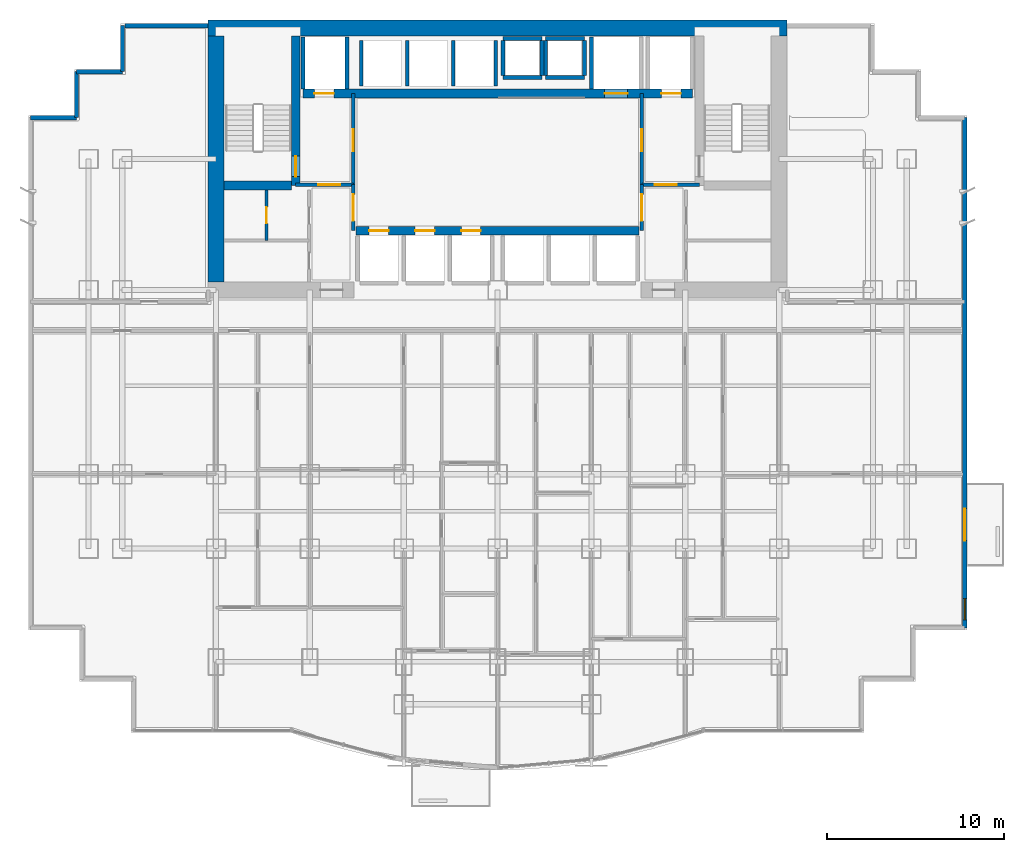
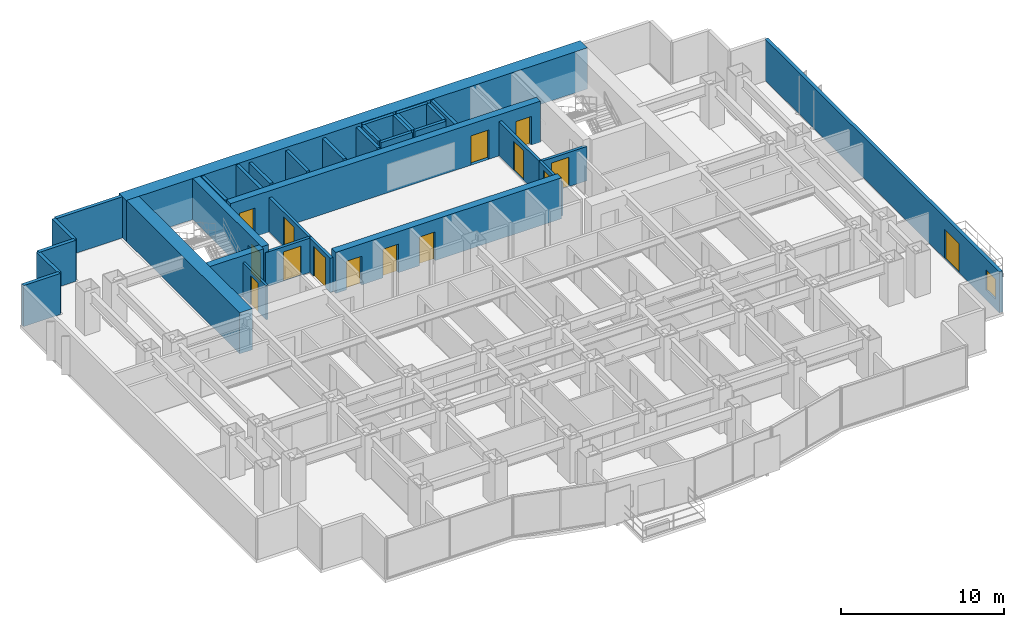
# One storey, part 7 of 10: 34 walls, 15 doors, 1 window, 16 openings.
"""IFC4 building model written with IfcOpenShell, lengths in metres."""

from ifc_helpers import new_model, si_unit, direction, frame, frame_2d, origin, place, context, subcontext, project, spatial, rectangle, extrude, material, layer, layer_set, type_object, element, fill, save


model = new_model("IFC4")

# Units and contexts
model_context = context("Model", 3, precision=1e-05, world=origin(), true_north=direction((0.0, 1.0)))
body_context = subcontext(model_context, "Body", "Model", "MODEL_VIEW")
ifc_project = project(units=[si_unit("LENGTHUNIT", "METRE"), si_unit("AREAUNIT", "SQUARE_METRE"), si_unit("VOLUMEUNIT", "CUBIC_METRE"), si_unit("PLANEANGLEUNIT", "RADIAN"), si_unit("MASSUNIT", "GRAM", prefix="KILO")], contexts=[model_context])

# Site, building, storey
site_placement = place(None, origin())
site = spatial("IfcSite", under=ifc_project, at=site_placement, CompositionType="ELEMENT")
building_placement = place(site_placement, origin())
building = spatial("IfcBuilding", under=site, at=building_placement, Name="Qianlan Lanfeng Residences", CompositionType="ELEMENT")
storey_placement = place(building_placement, frame((0.0, 0.0, 53.89990234375)))
storey = spatial("IfcBuildingStorey", under=building, at=storey_placement, Name="L14", CompositionType="ELEMENT", Elevation=53.89990234375)

# Wall, opening, door
ifc_material_1 = material(Name="Concrete C70", Category="concrete")
ifc_layer_1 = layer(ifc_material_1, 0.5)
ifc_layer_set_1 = layer_set([ifc_layer_1], Name="Concrete C70")
wall_type_1 = type_object("IfcWallType", Name="CW-RC-500", PredefinedType="SHEAR", material=ifc_layer_set_1)
wall_1_placement = place(storey_placement, frame((15.10009765625, 31.10009765625, 0.0), z_axis=(0.0, 0.0, 1.0), x_axis=(0.0, 1.0, 0.0)))
wall_1 = element("IfcWall", 1, at=wall_1_placement, inside=storey, type_object=wall_type_1, Name="L14 Core Shear Wall ST1E", PredefinedType="SHEAR", context=body_context, shape_type="SweptSolid", body=[
    extrude(rectangle(XDim=8.449951171875, YDim=0.5, at=frame_2d((4.22509765625, 0.0))), origin(), (0.0, 0.0, 1.0), 3.080078125),
])
opening_1_placement = place(wall_1_placement, frame((0.510009765625, 0.0, 0.0)))
opening_1 = element("IfcOpeningElement", 2, at=opening_1_placement, cuts=wall_1, Name="Opening L14-D07", PredefinedType="OPENING", context=body_context, shape_type="SweptSolid", body=[
    extrude(rectangle(XDim=1.14990234375, YDim=2.199951171875, at=frame_2d((0.574951171875, 1.10009765625))), frame((0.0, 0.260009765625, 0.0), z_axis=(0.0, -1.0, 0.0), x_axis=(1.0, 0.0, 0.0)), (0.0, 0.0, 1.0), 0.52001953125),
])
ifc_material_2 = material(Name="Painted Galvanised Steel Fire Door", Category="steel")
door_type_1 = type_object("IfcDoorType", Name="DT-ST1", OperationType="NOTDEFINED", PredefinedType="DOOR", material=ifc_material_2)
door_1_placement = place(opening_1_placement, frame((1.14990234375, 0.0, 0.0), z_axis=(0.0, 0.0, 1.0), x_axis=(-1.0, 0.0, 0.0)))
door_1 = element("IfcDoor", 3, at=door_1_placement, inside=storey, type_object=door_type_1, Name="L14 Exit Stair ST-1 Door L14-D07 (DT-ST1)", OperationType="SINGLE_SWING_RIGHT", OverallHeight=2.199951171875, OverallWidth=1.14990234375, PredefinedType="DOOR", context=body_context, shape_type="SweptSolid", body=[
    extrude(rectangle(XDim=1.14990234375, YDim=2.199951171875, at=frame_2d((0.574951171875, 1.10009765625))), frame((0.0, 0.02490234375, 0.0), z_axis=(0.0, -1.0, 0.0), x_axis=(1.0, 0.0, 0.0)), (0.0, 0.0, 1.0), 0.050048828125),
])
fill(opening_1, door_1)

# Wall
wall_2_placement = place(storey_placement, frame((11.050048828125, 31.10009765625, 0.0), z_axis=(0.0, 0.0, 1.0), x_axis=(1.0, 0.0, 0.0)))
element("IfcWall", 4, at=wall_2_placement, inside=storey, type_object=wall_type_1, Name="L14 Core Shear Wall ST1S", PredefinedType="SHEAR", context=body_context, shape_type="SweptSolid", body=[
    extrude(rectangle(XDim=3.800048828125, YDim=0.5, at=frame_2d((1.89990234375, 0.0))), origin(), (0.0, 0.0, 1.0), 3.080078125),
])

# Wall, openings, doors
wall_3_placement = place(storey_placement, frame((15.5, 36.300048828125, 0.0), z_axis=(0.0, 0.0, 1.0), x_axis=(1.0, 0.0, 0.0)))
wall_3 = element("IfcWall", 5, at=wall_3_placement, inside=storey, type_object=wall_type_1, Name="L14 Core Shear Wall LBN", PredefinedType="SHEAR", context=body_context, shape_type="SweptSolid", body=[
    extrude(rectangle(XDim=22.0, YDim=0.5, at=frame_2d((11.0, 0.0))), origin(), (0.0, 0.0, 1.0), 3.080078125),
])
opening_2_placement = place(wall_3_placement, frame((0.64990234375, 0.0, 0.0)))
opening_2 = element("IfcOpeningElement", 6, at=opening_2_placement, cuts=wall_3, Name="Opening L14-LD-FFL-1", PredefinedType="OPENING", context=body_context, shape_type="SweptSolid", body=[
    extrude(rectangle(XDim=1.10009765625, YDim=2.14990234375, at=frame_2d((0.550048828125, 1.074951171875))), frame((0.0, 0.260009765625, 0.0), z_axis=(0.0, -1.0, 0.0), x_axis=(1.0, 0.0, 0.0)), (0.0, 0.0, 1.0), 0.52001953125),
])
opening_3_placement = place(wall_3_placement, frame((20.25, 0.0, 0.0)))
opening_3 = element("IfcOpeningElement", 7, at=opening_3_placement, cuts=wall_3, Name="Opening L14-LD-FFL-2", PredefinedType="OPENING", context=body_context, shape_type="SweptSolid", body=[
    extrude(rectangle(XDim=1.10009765625, YDim=2.14990234375, at=frame_2d((0.550048828125, 1.074951171875))), frame((0.0, 0.260009765625, 0.0), z_axis=(0.0, -1.0, 0.0), x_axis=(1.0, 0.0, 0.0)), (0.0, 0.0, 1.0), 0.52001953125),
])
opening_4_placement = place(wall_3_placement, frame((17.050048828125, 0.0, 0.0)))
opening_4 = element("IfcOpeningElement", 8, at=opening_4_placement, cuts=wall_3, Name="Opening L14-LD-SVL-1", PredefinedType="OPENING", context=body_context, shape_type="SweptSolid", body=[
    extrude(rectangle(XDim=1.300048828125, YDim=2.199951171875, at=frame_2d((0.64990234375, 1.10009765625))), frame((0.0, 0.260009765625, 0.0), z_axis=(0.0, -1.0, 0.0), x_axis=(1.0, 0.0, 0.0)), (0.0, 0.0, 1.0), 0.52001953125),
])
ifc_material_3 = material(Name="Brushed Stainless Steel Sliding Lift Door", Category="steel")
door_type_2 = type_object("IfcDoorType", Name="LD-01", OperationType="NOTDEFINED", PredefinedType="DOOR", material=ifc_material_3)
door_2_placement = place(opening_2_placement, frame((1.10009765625, 0.0, 0.0), z_axis=(0.0, 0.0, 1.0), x_axis=(-1.0, 0.0, 0.0)))
door_2 = element("IfcDoor", 9, at=door_2_placement, inside=storey, type_object=door_type_2, Name="L14 Elevator FFL-1 Sliding Landing Door", OperationType="DOUBLE_DOOR_SLIDING", OverallHeight=2.14990234375, OverallWidth=1.10009765625, PredefinedType="DOOR", context=body_context, shape_type="SweptSolid", body=[
    extrude(rectangle(XDim=1.10009765625, YDim=2.14990234375, at=frame_2d((0.550048828125, 1.074951171875))), frame((0.0, 0.02490234375, 0.0), z_axis=(0.0, -1.0, 0.0), x_axis=(1.0, 0.0, 0.0)), (0.0, 0.0, 1.0), 0.050048828125),
])
fill(opening_2, door_2)
door_3_placement = place(opening_3_placement, frame((1.10009765625, 0.0, 0.0), z_axis=(0.0, 0.0, 1.0), x_axis=(-1.0, 0.0, 0.0)))
door_3 = element("IfcDoor", 10, at=door_3_placement, inside=storey, type_object=door_type_2, Name="L14 Elevator FFL-2 Sliding Landing Door", OperationType="DOUBLE_DOOR_SLIDING", OverallHeight=2.14990234375, OverallWidth=1.10009765625, PredefinedType="DOOR", context=body_context, shape_type="SweptSolid", body=[
    extrude(rectangle(XDim=1.10009765625, YDim=2.14990234375, at=frame_2d((0.550048828125, 1.074951171875))), frame((0.0, 0.02490234375, 0.0), z_axis=(0.0, -1.0, 0.0), x_axis=(1.0, 0.0, 0.0)), (0.0, 0.0, 1.0), 0.050048828125),
])
fill(opening_3, door_3)
door_type_3 = type_object("IfcDoorType", Name="LD-02", OperationType="NOTDEFINED", PredefinedType="DOOR", material=ifc_material_3)
door_4_placement = place(opening_4_placement, frame((1.300048828125, 0.0, 0.0), z_axis=(0.0, 0.0, 1.0), x_axis=(-1.0, 0.0, 0.0)))
door_4 = element("IfcDoor", 11, at=door_4_placement, inside=storey, type_object=door_type_3, Name="L14 Elevator SVL-1 Sliding Landing Door", OperationType="DOUBLE_DOOR_SLIDING", OverallHeight=2.199951171875, OverallWidth=1.300048828125, PredefinedType="DOOR", context=body_context, shape_type="SweptSolid", body=[
    extrude(rectangle(XDim=1.300048828125, YDim=2.199951171875, at=frame_2d((0.64990234375, 1.10009765625))), frame((0.0, 0.02490234375, 0.0), z_axis=(0.0, -1.0, 0.0), x_axis=(1.0, 0.0, 0.0)), (0.0, 0.0, 1.0), 0.050048828125),
])
fill(opening_4, door_4)

wall_4_placement = place(storey_placement, frame((18.5, 28.550048828125, 0.0), z_axis=(0.0, 0.0, 1.0), x_axis=(1.0, 0.0, 0.0)))
wall_4 = element("IfcWall", 12, at=wall_4_placement, inside=storey, type_object=wall_type_1, Name="L14 Core Shear Wall LBS", PredefinedType="SHEAR", context=body_context, shape_type="SweptSolid", body=[
    extrude(rectangle(XDim=16.0, YDim=0.5, at=frame_2d((8.0, 0.0))), origin(), (0.0, 0.0, 1.0), 3.080078125),
])
opening_5_placement = place(wall_4_placement, frame((0.75, 0.0, 0.0)))
opening_5 = element("IfcOpeningElement", 13, at=opening_5_placement, cuts=wall_4, Name="Opening L14-LD-PL-L1", PredefinedType="OPENING", context=body_context, shape_type="SweptSolid", body=[
    extrude(rectangle(XDim=1.10009765625, YDim=2.14990234375, at=frame_2d((0.550048828125, 1.074951171875))), frame((0.0, 0.260009765625, 0.0), z_axis=(0.0, -1.0, 0.0), x_axis=(1.0, 0.0, 0.0)), (0.0, 0.0, 1.0), 0.52001953125),
])
opening_6_placement = place(wall_4_placement, frame((3.35009765625, 0.0, 0.0)))
opening_6 = element("IfcOpeningElement", 14, at=opening_6_placement, cuts=wall_4, Name="Opening L14-LD-PL-L2", PredefinedType="OPENING", context=body_context, shape_type="SweptSolid", body=[
    extrude(rectangle(XDim=1.10009765625, YDim=2.14990234375, at=frame_2d((0.550048828125, 1.074951171875))), frame((0.0, 0.260009765625, 0.0), z_axis=(0.0, -1.0, 0.0), x_axis=(1.0, 0.0, 0.0)), (0.0, 0.0, 1.0), 0.52001953125),
])
opening_7_placement = place(wall_4_placement, frame((5.949951171875, 0.0, 0.0)))
opening_7 = element("IfcOpeningElement", 15, at=opening_7_placement, cuts=wall_4, Name="Opening L14-LD-PL-L3", PredefinedType="OPENING", context=body_context, shape_type="SweptSolid", body=[
    extrude(rectangle(XDim=1.10009765625, YDim=2.14990234375, at=frame_2d((0.550048828125, 1.074951171875))), frame((0.0, 0.260009765625, 0.0), z_axis=(0.0, -1.0, 0.0), x_axis=(1.0, 0.0, 0.0)), (0.0, 0.0, 1.0), 0.52001953125),
])
door_5_placement = place(opening_5_placement, origin())
door_5 = element("IfcDoor", 16, at=door_5_placement, inside=storey, type_object=door_type_2, Name="L14 Elevator PL-L1 Sliding Landing Door", OperationType="DOUBLE_DOOR_SLIDING", OverallHeight=2.14990234375, OverallWidth=1.10009765625, PredefinedType="DOOR", context=body_context, shape_type="SweptSolid", body=[
    extrude(rectangle(XDim=1.10009765625, YDim=2.14990234375, at=frame_2d((0.550048828125, 1.074951171875))), frame((0.0, 0.02490234375, 0.0), z_axis=(0.0, -1.0, 0.0), x_axis=(1.0, 0.0, 0.0)), (0.0, 0.0, 1.0), 0.050048828125),
])
fill(opening_5, door_5)
door_6_placement = place(opening_6_placement, origin())
door_6 = element("IfcDoor", 17, at=door_6_placement, inside=storey, type_object=door_type_2, Name="L14 Elevator PL-L2 Sliding Landing Door", OperationType="DOUBLE_DOOR_SLIDING", OverallHeight=2.14990234375, OverallWidth=1.10009765625, PredefinedType="DOOR", context=body_context, shape_type="SweptSolid", body=[
    extrude(rectangle(XDim=1.10009765625, YDim=2.14990234375, at=frame_2d((0.550048828125, 1.074951171875))), frame((0.0, 0.02490234375, 0.0), z_axis=(0.0, -1.0, 0.0), x_axis=(1.0, 0.0, 0.0)), (0.0, 0.0, 1.0), 0.050048828125),
])
fill(opening_6, door_6)
door_7_placement = place(opening_7_placement, origin())
door_7 = element("IfcDoor", 18, at=door_7_placement, inside=storey, type_object=door_type_2, Name="L14 Elevator PL-L3 Sliding Landing Door", OperationType="DOUBLE_DOOR_SLIDING", OverallHeight=2.14990234375, OverallWidth=1.10009765625, PredefinedType="DOOR", context=body_context, shape_type="SweptSolid", body=[
    extrude(rectangle(XDim=1.10009765625, YDim=2.14990234375, at=frame_2d((0.550048828125, 1.074951171875))), frame((0.0, 0.02490234375, 0.0), z_axis=(0.0, -1.0, 0.0), x_axis=(1.0, 0.0, 0.0)), (0.0, 0.0, 1.0), 0.050048828125),
])
fill(opening_7, door_7)

# Walls
ifc_layer_2 = layer(ifc_material_1, 0.89990234375)
ifc_layer_set_2 = layer_set([ifc_layer_2], Name="Concrete C70")
wall_type_2 = type_object("IfcWallType", Name="CW-RC-900", PredefinedType="SHEAR", material=ifc_layer_set_2)
wall_5_placement = place(storey_placement, frame((10.14990234375, 40.0, 0.0), z_axis=(0.0, 0.0, 1.0), x_axis=(1.0, 0.0, 0.0)))
element("IfcWall", 19, at=wall_5_placement, inside=storey, type_object=wall_type_2, Name="L14 Core Shear Wall N", PredefinedType="SHEAR", context=body_context, shape_type="SweptSolid", body=[
    extrude(rectangle(XDim=32.7001953125, YDim=0.89990234375, at=frame_2d((16.35009765625, 0.0))), origin(), (0.0, 0.0, 1.0), 3.080078125),
])
wall_6_placement = place(storey_placement, frame((10.60009765625, 25.64990234375, 0.0), z_axis=(0.0, 0.0, 1.0), x_axis=(0.0, 1.0, 0.0)))
element("IfcWall", 20, at=wall_6_placement, inside=storey, type_object=wall_type_2, Name="L14 Core Shear Wall W", PredefinedType="SHEAR", context=body_context, shape_type="SweptSolid", body=[
    extrude(rectangle(XDim=13.900146484375, YDim=0.89990234375, at=frame_2d((6.9501953125, 0.0))), origin(), (0.0, 0.0, 1.0), 3.080078125),
])

# Wall, openings, door, window
ifc_material_4 = material(Name="Concrete C42", Category="concrete")
ifc_layer_3 = layer(ifc_material_4, 0.239990234375)
ifc_layer_set_3 = layer_set([ifc_layer_3], Name="Concrete C42")
wall_type_3 = type_object("IfcWallType", Name="EW-240", PredefinedType="SOLIDWALL", material=ifc_layer_set_3)
wall_7_placement = place(storey_placement, frame((52.8798828125, 6.1201171875, 0.0), z_axis=(0.0, 0.0, 1.0), x_axis=(0.0, 1.0, 0.0)))
wall_7 = element("IfcWall", 21, at=wall_7_placement, inside=storey, type_object=wall_type_3, Name="L14 Terrace/Balcony Access Exterior Wall 10", PredefinedType="SOLIDWALL", context=body_context, shape_type="SweptSolid", body=[
    extrude(rectangle(XDim=28.809814453125, YDim=0.239990234375, at=frame_2d((14.40478515625, 0.0))), origin(), (0.0, 0.0, 1.0), 3.080078125),
])
opening_8_placement = place(wall_7_placement, frame((4.929931640625, 0.0, 0.0)))
opening_8 = element("IfcOpeningElement", 22, at=opening_8_placement, cuts=wall_7, Name="Opening L14-D-EB-S", PredefinedType="OPENING", context=body_context, shape_type="SweptSolid", body=[
    extrude(rectangle(XDim=1.800048828125, YDim=2.199951171875, at=frame_2d((0.89990234375, 1.10009765625))), frame((0.0, 0.1298828125, 0.0), z_axis=(0.0, -1.0, 0.0), x_axis=(1.0, 0.0, 0.0)), (0.0, 0.0, 1.0), 0.260009765625),
])
opening_9_placement = place(wall_7_placement, frame((0.449951171875, 0.0, 0.75)))
opening_9 = element("IfcOpeningElement", 23, at=opening_9_placement, cuts=wall_7, Name="Opening W-03", PredefinedType="OPENING", context=body_context, shape_type="SweptSolid", body=[
    extrude(rectangle(XDim=1.199951171875, YDim=1.5, at=frame_2d((0.60009765625, 0.75))), frame((0.0, 0.1298828125, 0.0), z_axis=(0.0, -1.0, 0.0), x_axis=(1.0, 0.0, 0.0)), (0.0, 0.0, 1.0), 0.260009765625),
])
ifc_material_5 = material(Name="Anodised Bronze Aluminium Framed Glass", Category="aluminium")
door_type_4 = type_object("IfcDoorType", Name="DT-BAL1", OperationType="NOTDEFINED", PredefinedType="DOOR", material=ifc_material_5)
door_8_placement = place(opening_8_placement, frame((1.800048828125, 0.0, 0.0), z_axis=(0.0, 0.0, 1.0), x_axis=(-1.0, 0.0, 0.0)))
door_8 = element("IfcDoor", 24, at=door_8_placement, inside=storey, type_object=door_type_4, Name="L14 Exterior Access Door EB-S", OperationType="DOUBLE_DOOR_SLIDING", OverallHeight=2.199951171875, OverallWidth=1.800048828125, PredefinedType="DOOR", context=body_context, shape_type="SweptSolid", body=[
    extrude(rectangle(XDim=1.800048828125, YDim=2.199951171875, at=frame_2d((0.89990234375, 1.10009765625))), frame((0.0, 0.02490234375, 0.0), z_axis=(0.0, -1.0, 0.0), x_axis=(1.0, 0.0, 0.0)), (0.0, 0.0, 1.0), 0.050048828125),
])
fill(opening_8, door_8)
ifc_material_6 = material(Name="Anodised Bronze Aluminium Framed Double Glazing", Category="aluminium")
window_type = type_object("IfcWindowType", Name="W-03", PartitioningType="SINGLE_PANEL", PredefinedType="WINDOW", material=ifc_material_6)
window_placement = place(opening_9_placement, origin())
window = element("IfcWindow", 25, at=window_placement, inside=storey, type_object=window_type, Name="L14 Exterior Window W-03", OverallHeight=1.5, OverallWidth=1.199951171875, PartitioningType="SINGLE_PANEL", PredefinedType="WINDOW", context=body_context, shape_type="SweptSolid", body=[
    extrude(rectangle(XDim=1.199951171875, YDim=1.5, at=frame_2d((0.60009765625, 0.75))), frame((0.0, 0.030029296875, 0.0), z_axis=(0.0, -1.0, 0.0), x_axis=(1.0, 0.0, 0.0)), (0.0, 0.0, 1.0), 0.06005859375),
])
fill(opening_9, window)

# Walls
wall_8_placement = place(storey_placement, frame((10.14990234375, 40.1298828125, 0.0), z_axis=(0.0, 0.0, 1.0), x_axis=(-1.0, 0.0, 0.0)))
element("IfcWall", 26, at=wall_8_placement, inside=storey, type_object=wall_type_3, Name="L14 North Wing Exterior Wall W", PredefinedType="SOLIDWALL", context=body_context, shape_type="SweptSolid", body=[
    extrude(rectangle(XDim=4.699951171875, YDim=0.239990234375, at=frame_2d((2.35009765625, 0.0))), origin(), (0.0, 0.0, 1.0), 3.080078125),
])
wall_9_placement = place(storey_placement, frame((5.320068359375, 40.1298828125, 0.0), z_axis=(0.0, 0.0, 1.0), x_axis=(0.0, -1.0, 0.0)))
element("IfcWall", 27, at=wall_9_placement, inside=storey, type_object=wall_type_3, Name="L14 Exterior Facade Spandrel Wall 17", PredefinedType="SOLIDWALL", context=body_context, shape_type="SweptSolid", body=[
    extrude(rectangle(XDim=2.599853515625, YDim=0.239990234375, at=frame_2d((1.2998046875, 0.0))), origin(), (0.0, 0.0, 1.0), 3.080078125),
])
for number, where, z_axis, x_axis, name in (
    (28, (5.320068359375, 37.530029296875, 0.0), (0.0, 0.0, 1.0), (-1.0, 0.0, 0.0), "L14 Exterior Facade Spandrel Wall 18"),
    (29, (2.719970703125, 37.530029296875, 0.0), (0.0, 0.0, 1.0), (0.0, -1.0, 0.0), "L14 Exterior Facade Spandrel Wall 19"),
):
    element("IfcWall", number, at=place(storey_placement, frame(where, z_axis=z_axis, x_axis=x_axis)), inside=storey, type_object=wall_type_3, Name=name, PredefinedType="SOLIDWALL", context=body_context, shape_type="SweptSolid", body=[
        extrude(rectangle(XDim=2.60009765625, YDim=0.239990234375, at=frame_2d((1.300048828125, 0.0))), origin(), (0.0, 0.0, 1.0), 3.080078125),
    ])
wall_10_placement = place(storey_placement, frame((2.719970703125, 34.929931640625, 0.0), z_axis=(0.0, 0.0, 1.0), x_axis=(-1.0, 0.0, 0.0)))
element("IfcWall", 30, at=wall_10_placement, inside=storey, type_object=wall_type_3, Name="L14 Exterior Facade Spandrel Wall 20", PredefinedType="SOLIDWALL", context=body_context, shape_type="SweptSolid", body=[
    extrude(rectangle(XDim=2.599853515625, YDim=0.239990234375, at=frame_2d((1.2998046875, 0.0))), origin(), (0.0, 0.0, 1.0), 3.080078125),
])

# Wall, opening, door
ifc_material_7 = material(Name="Acoustic Drywall Partition 150 mm")
ifc_layer_4 = layer(ifc_material_7, 0.14990234375)
ifc_layer_set_4 = layer_set([ifc_layer_4], Name="Acoustic Drywall Partition 150 mm")
wall_type_4 = type_object("IfcWallType", Name="PW-150", PredefinedType="PARTITIONING", material=ifc_layer_set_4)
wall_11_placement = place(storey_placement, frame((13.449951171875, 28.0, 0.0), z_axis=(0.0, 0.0, 1.0), x_axis=(0.0, 1.0, 0.0)))
wall_11 = element("IfcWall", 31, at=wall_11_placement, inside=storey, type_object=wall_type_4, Name="L14 Core West V4", PredefinedType="PARTITIONING", context=body_context, shape_type="SweptSolid", body=[
    extrude(rectangle(XDim=2.85009765625, YDim=0.14990234375, at=frame_2d((1.425048828125, 0.0))), origin(), (0.0, 0.0, 1.0), 2.570068359375),
])
opening_10_placement = place(wall_11_placement, frame((0.965087890625, 0.0, 0.0)))
opening_10 = element("IfcOpeningElement", 32, at=opening_10_placement, cuts=wall_11, Name="Opening L14-D11", PredefinedType="OPENING", context=body_context, shape_type="SweptSolid", body=[
    extrude(rectangle(XDim=0.919921875, YDim=2.14990234375, at=frame_2d((0.4599609375, 1.074951171875))), frame((0.0, 0.0849609375, 0.0), z_axis=(0.0, -1.0, 0.0), x_axis=(1.0, 0.0, 0.0)), (0.0, 0.0, 1.0), 0.169921875),
])
ifc_material_8 = material(Name="Glazed Timber Kitchen/Study Door", Category="wood")
door_type_5 = type_object("IfcDoorType", Name="DT-INT", OperationType="NOTDEFINED", PredefinedType="DOOR", material=ifc_material_8)
door_9_placement = place(opening_10_placement, origin())
door_9 = element("IfcDoor", 33, at=door_9_placement, inside=storey, type_object=door_type_5, Name="L14 Linen Store Door L14-D11 (DT-INT)", OperationType="SINGLE_SWING_RIGHT", OverallHeight=2.14990234375, OverallWidth=0.919921875, PredefinedType="DOOR", context=body_context, shape_type="SweptSolid", body=[
    extrude(rectangle(XDim=0.919921875, YDim=2.14990234375, at=frame_2d((0.4599609375, 1.074951171875))), frame((0.0, 0.02490234375, 0.0), z_axis=(0.0, -1.0, 0.0), x_axis=(1.0, 0.0, 0.0)), (0.0, 0.0, 1.0), 0.050048828125),
])
fill(opening_10, door_9)

ifc_material_9 = material(Name="Autoclaved Aerated Concrete Blockwork 200 mm", Category="masonry")
ifc_layer_5 = layer(ifc_material_9, 0.199951171875)
ifc_layer_set_5 = layer_set([ifc_layer_5], Name="Autoclaved Aerated Concrete Blockwork 200 mm")
wall_type_5 = type_object("IfcWallType", Name="PW-200", PredefinedType="PARTITIONING", material=ifc_layer_set_5)
wall_12_placement = place(storey_placement, frame((15.10009765625, 31.14990234375, 0.0), z_axis=(0.0, 0.0, 1.0), x_axis=(1.0, 0.0, 0.0)))
wall_12 = element("IfcWall", 34, at=wall_12_placement, inside=storey, type_object=wall_type_5, Name="L14 Firefighting Lobby 1 South Wall", PredefinedType="PARTITIONING", context=body_context, shape_type="SweptSolid", body=[
    extrude(rectangle(XDim=3.25, YDim=0.199951171875, at=frame_2d((1.625, 0.0))), origin(), (0.0, 0.0, 1.0), 2.570068359375),
])
opening_11_placement = place(wall_12_placement, frame((1.27490234375, 0.0, 0.0)))
opening_11 = element("IfcOpeningElement", 35, at=opening_11_placement, cuts=wall_12, Name="Opening L14-D03", PredefinedType="OPENING", context=body_context, shape_type="SweptSolid", body=[
    extrude(rectangle(XDim=1.25, YDim=2.199951171875, at=frame_2d((0.625, 1.10009765625))), frame((0.0, 0.10986328125, 0.0), z_axis=(0.0, -1.0, 0.0), x_axis=(1.0, 0.0, 0.0)), (0.0, 0.0, 1.0), 0.219970703125),
])
door_type_6 = type_object("IfcDoorType", Name="DT-FFL", OperationType="NOTDEFINED", PredefinedType="DOOR", material=ifc_material_2)
door_10_placement = place(opening_11_placement, origin())
door_10 = element("IfcDoor", 36, at=door_10_placement, inside=storey, type_object=door_type_6, Name="L14 Firefighting Lobby 1 Entry Door L14-D03 (DT-FFL)", OperationType="SINGLE_SWING_LEFT", OverallHeight=2.199951171875, OverallWidth=1.25, PredefinedType="DOOR", context=body_context, shape_type="SweptSolid", body=[
    extrude(rectangle(XDim=1.25, YDim=2.199951171875, at=frame_2d((0.625, 1.10009765625))), frame((0.0, 0.02490234375, 0.0), z_axis=(0.0, -1.0, 0.0), x_axis=(1.0, 0.0, 0.0)), (0.0, 0.0, 1.0), 0.050048828125),
])
fill(opening_11, door_10)

wall_13_placement = place(storey_placement, frame((18.35009765625, 31.14990234375, 0.0), z_axis=(0.0, 0.0, 1.0), x_axis=(0.0, 1.0, 0.0)))
wall_13 = element("IfcWall", 37, at=wall_13_placement, inside=storey, type_object=wall_type_5, Name="L14 Firefighting Lobby 1 East Wall", PredefinedType="PARTITIONING", context=body_context, shape_type="SweptSolid", body=[
    extrude(rectangle(XDim=5.150146484375, YDim=0.199951171875, at=frame_2d((2.5751953125, 0.0))), origin(), (0.0, 0.0, 1.0), 2.570068359375),
])
opening_12_placement = place(wall_13_placement, frame((1.875, 0.0, 0.0)))
opening_12 = element("IfcOpeningElement", 38, at=opening_12_placement, cuts=wall_13, Name="Opening L14-D04", PredefinedType="OPENING", context=body_context, shape_type="SweptSolid", body=[
    extrude(rectangle(XDim=1.25, YDim=2.199951171875, at=frame_2d((0.625, 1.10009765625))), frame((0.0, 0.10986328125, 0.0), z_axis=(0.0, -1.0, 0.0), x_axis=(1.0, 0.0, 0.0)), (0.0, 0.0, 1.0), 0.219970703125),
])
door_11_placement = place(opening_12_placement, origin())
door_11 = element("IfcDoor", 39, at=door_11_placement, inside=storey, type_object=door_type_6, Name="L14 Firefighting Lobby 1 Lift Lobby Door L14-D04 (DT-FFL)", OperationType="SINGLE_SWING_LEFT", OverallHeight=2.199951171875, OverallWidth=1.25, PredefinedType="DOOR", context=body_context, shape_type="SweptSolid", body=[
    extrude(rectangle(XDim=1.25, YDim=2.199951171875, at=frame_2d((0.625, 1.10009765625))), frame((0.0, 0.02490234375, 0.0), z_axis=(0.0, -1.0, 0.0), x_axis=(1.0, 0.0, 0.0)), (0.0, 0.0, 1.0), 0.050048828125),
])
fill(opening_12, door_11)

wall_14_placement = place(storey_placement, frame((34.64990234375, 31.14990234375, 0.0), z_axis=(0.0, 0.0, 1.0), x_axis=(1.0, 0.0, 0.0)))
wall_14 = element("IfcWall", 40, at=wall_14_placement, inside=storey, type_object=wall_type_5, Name="L14 Firefighting Lobby 2 South Wall", PredefinedType="PARTITIONING", context=body_context, shape_type="SweptSolid", body=[
    extrude(rectangle(XDim=3.25, YDim=0.199951171875, at=frame_2d((1.625, 0.0))), origin(), (0.0, 0.0, 1.0), 2.570068359375),
])
opening_13_placement = place(wall_14_placement, frame((0.72509765625, 0.0, 0.0)))
opening_13 = element("IfcOpeningElement", 41, at=opening_13_placement, cuts=wall_14, Name="Opening L14-D05", PredefinedType="OPENING", context=body_context, shape_type="SweptSolid", body=[
    extrude(rectangle(XDim=1.25, YDim=2.199951171875, at=frame_2d((0.625, 1.10009765625))), frame((0.0, 0.10986328125, 0.0), z_axis=(0.0, -1.0, 0.0), x_axis=(1.0, 0.0, 0.0)), (0.0, 0.0, 1.0), 0.219970703125),
])
door_12_placement = place(opening_13_placement, origin())
door_12 = element("IfcDoor", 42, at=door_12_placement, inside=storey, type_object=door_type_6, Name="L14 Firefighting Lobby 2 Entry Door L14-D05 (DT-FFL)", OperationType="SINGLE_SWING_RIGHT", OverallHeight=2.199951171875, OverallWidth=1.25, PredefinedType="DOOR", context=body_context, shape_type="SweptSolid", body=[
    extrude(rectangle(XDim=1.25, YDim=2.199951171875, at=frame_2d((0.625, 1.10009765625))), frame((0.0, 0.02490234375, 0.0), z_axis=(0.0, -1.0, 0.0), x_axis=(1.0, 0.0, 0.0)), (0.0, 0.0, 1.0), 0.050048828125),
])
fill(opening_13, door_12)

wall_15_placement = place(storey_placement, frame((34.64990234375, 31.14990234375, 0.0), z_axis=(0.0, 0.0, 1.0), x_axis=(0.0, 1.0, 0.0)))
wall_15 = element("IfcWall", 43, at=wall_15_placement, inside=storey, type_object=wall_type_5, Name="L14 Firefighting Lobby 2 West Wall", PredefinedType="PARTITIONING", context=body_context, shape_type="SweptSolid", body=[
    extrude(rectangle(XDim=5.150146484375, YDim=0.199951171875, at=frame_2d((2.5751953125, 0.0))), origin(), (0.0, 0.0, 1.0), 2.570068359375),
])
opening_14_placement = place(wall_15_placement, frame((1.875, 0.0, 0.0)))
opening_14 = element("IfcOpeningElement", 44, at=opening_14_placement, cuts=wall_15, Name="Opening L14-D06", PredefinedType="OPENING", context=body_context, shape_type="SweptSolid", body=[
    extrude(rectangle(XDim=1.25, YDim=2.199951171875, at=frame_2d((0.625, 1.10009765625))), frame((0.0, 0.10986328125, 0.0), z_axis=(0.0, -1.0, 0.0), x_axis=(1.0, 0.0, 0.0)), (0.0, 0.0, 1.0), 0.219970703125),
])
door_13_placement = place(opening_14_placement, origin())
door_13 = element("IfcDoor", 45, at=door_13_placement, inside=storey, type_object=door_type_6, Name="L14 Firefighting Lobby 2 Lift Lobby Door L14-D06 (DT-FFL)", OperationType="SINGLE_SWING_LEFT", OverallHeight=2.199951171875, OverallWidth=1.25, PredefinedType="DOOR", context=body_context, shape_type="SweptSolid", body=[
    extrude(rectangle(XDim=1.25, YDim=2.199951171875, at=frame_2d((0.625, 1.10009765625))), frame((0.0, 0.02490234375, 0.0), z_axis=(0.0, -1.0, 0.0), x_axis=(1.0, 0.0, 0.0)), (0.0, 0.0, 1.0), 0.050048828125),
])
fill(opening_14, door_13)

wall_16_placement = place(storey_placement, frame((18.35009765625, 28.550048828125, 0.0), z_axis=(0.0, 0.0, 1.0), x_axis=(0.0, 1.0, 0.0)))
wall_16 = element("IfcWall", 46, at=wall_16_placement, inside=storey, type_object=wall_type_5, Name="L14 Lift Lobby West Connector Wall", PredefinedType="PARTITIONING", context=body_context, shape_type="SweptSolid", body=[
    extrude(rectangle(XDim=2.599853515625, YDim=0.199951171875, at=frame_2d((1.2998046875, 0.0))), origin(), (0.0, 0.0, 1.0), 2.570068359375),
])
opening_15_placement = place(wall_16_placement, frame((0.550048828125, 0.0, 0.0)))
opening_15 = element("IfcOpeningElement", 47, at=opening_15_placement, cuts=wall_16, Name="Opening L14-D14", PredefinedType="OPENING", context=body_context, shape_type="SweptSolid", body=[
    extrude(rectangle(XDim=1.5, YDim=2.25, at=frame_2d((0.75, 1.125))), frame((0.0, 0.10986328125, 0.0), z_axis=(0.0, -1.0, 0.0), x_axis=(1.0, 0.0, 0.0)), (0.0, 0.0, 1.0), 0.219970703125),
])
ifc_material_10 = material(Name="Timber Veneer Acoustic Fire Door", Category="wood")
door_type_7 = type_object("IfcDoorType", Name="DT-COR1", OperationType="NOTDEFINED", PredefinedType="DOOR", material=ifc_material_10)
door_14_placement = place(opening_15_placement, origin())
door_14 = element("IfcDoor", 48, at=door_14_placement, inside=storey, type_object=door_type_7, Name="L14 Lift Lobby West Portal Door L14-D14 (DT-COR1)", OperationType="DOUBLE_DOOR_SINGLE_SWING", OverallHeight=2.25, OverallWidth=1.5, PredefinedType="DOOR", context=body_context, shape_type="SweptSolid", body=[
    extrude(rectangle(XDim=1.5, YDim=2.25, at=frame_2d((0.75, 1.125))), frame((0.0, 0.02490234375, 0.0), z_axis=(0.0, -1.0, 0.0), x_axis=(1.0, 0.0, 0.0)), (0.0, 0.0, 1.0), 0.050048828125),
])
fill(opening_15, door_14)

wall_17_placement = place(storey_placement, frame((34.64990234375, 28.550048828125, 0.0), z_axis=(0.0, 0.0, 1.0), x_axis=(0.0, 1.0, 0.0)))
wall_17 = element("IfcWall", 49, at=wall_17_placement, inside=storey, type_object=wall_type_5, Name="L14 Lift Lobby East Connector Wall", PredefinedType="PARTITIONING", context=body_context, shape_type="SweptSolid", body=[
    extrude(rectangle(XDim=2.599853515625, YDim=0.199951171875, at=frame_2d((1.2998046875, 0.0))), origin(), (0.0, 0.0, 1.0), 2.570068359375),
])
opening_16_placement = place(wall_17_placement, frame((0.550048828125, 0.0, 0.0)))
opening_16 = element("IfcOpeningElement", 50, at=opening_16_placement, cuts=wall_17, Name="Opening L14-D15", PredefinedType="OPENING", context=body_context, shape_type="SweptSolid", body=[
    extrude(rectangle(XDim=1.5, YDim=2.25, at=frame_2d((0.75, 1.125))), frame((0.0, 0.10986328125, 0.0), z_axis=(0.0, -1.0, 0.0), x_axis=(1.0, 0.0, 0.0)), (0.0, 0.0, 1.0), 0.219970703125),
])
door_15_placement = place(opening_16_placement, frame((1.5, 0.0, 0.0), z_axis=(0.0, 0.0, 1.0), x_axis=(-1.0, 0.0, 0.0)))
door_15 = element("IfcDoor", 51, at=door_15_placement, inside=storey, type_object=door_type_7, Name="L14 Lift Lobby East Portal Door L14-D15 (DT-COR1)", OperationType="DOUBLE_DOOR_SINGLE_SWING", OverallHeight=2.25, OverallWidth=1.5, PredefinedType="DOOR", context=body_context, shape_type="SweptSolid", body=[
    extrude(rectangle(XDim=1.5, YDim=2.25, at=frame_2d((0.75, 1.125))), frame((0.0, 0.02490234375, 0.0), z_axis=(0.0, -1.0, 0.0), x_axis=(1.0, 0.0, 0.0)), (0.0, 0.0, 1.0), 0.050048828125),
])
fill(opening_16, door_15)

# Walls
ifc_material_11 = material(Name="Concrete C49", Category="concrete")
ifc_layer_6 = layer(ifc_material_11, 0.219970703125)
ifc_layer_set_6 = layer_set([ifc_layer_6], Name="Concrete C49")
wall_type_6 = type_object("IfcWallType", Name="SHW-220", PredefinedType="SOLIDWALL", material=ifc_layer_set_6)
for number, where, z_axis, x_axis, name in (
    (52, (15.52001953125, 36.550048828125, 0.0), (0.0, 0.0, 1.0), (0.0, 1.0, 0.0), "L14 Lift FFL-1 Shaft Wall W"),
    (53, (18.0, 36.550048828125, 0.0), (0.0, 0.0, 1.0), (0.0, 1.0, 0.0), "L14 Lift FFL-1 Shaft Wall E"),
    (54, (31.800048828125, 36.550048828125, 0.0), (0.0, 0.0, 1.0), (0.0, 1.0, 0.0), "L14 Lift SVL-1 Shaft Wall W"),
):
    element("IfcWall", number, at=place(storey_placement, frame(where, z_axis=z_axis, x_axis=x_axis)), inside=storey, type_object=wall_type_6, Name=name, PredefinedType="SOLIDWALL", context=body_context, shape_type="SweptSolid", body=[
        extrude(rectangle(XDim=2.929931640625, YDim=0.219970703125, at=frame_2d((1.46484375, 0.0))), origin(), (0.0, 0.0, 1.0), 3.080078125),
    ])
for number, where, z_axis, x_axis, name in (
    (55, (18.800048828125, 36.719970703125, 0.0), (0.0, 0.0, 1.0), (0.0, 1.0, 0.0), "L14 Lift PL-H1 Shaft Wall W"),
    (56, (21.39990234375, 36.719970703125, 0.0), (0.0, 0.0, 1.0), (0.0, 1.0, 0.0), "L14 Lift PL-H2 Shaft Wall W"),
    (57, (24.0, 36.719970703125, 0.0), (0.0, 0.0, 1.0), (0.0, 1.0, 0.0), "L14 Lift PL-H3 Shaft Wall W"),
    (58, (26.39990234375, 36.719970703125, 0.0), (0.0, 0.0, 1.0), (0.0, 1.0, 0.0), "L14 Lift PL-H3 Shaft Wall E"),
):
    element("IfcWall", number, at=place(storey_placement, frame(where, z_axis=z_axis, x_axis=x_axis)), inside=storey, type_object=wall_type_6, Name=name, PredefinedType="SOLIDWALL", context=body_context, shape_type="SweptSolid", body=[
        extrude(rectangle(XDim=2.56005859375, YDim=0.219970703125, at=frame_2d((1.280029296875, 0.0))), origin(), (0.0, 0.0, 1.0), 3.080078125),
    ])
for number, where, z_axis, x_axis, name in (
    (59, (26.800048828125, 37.31005859375, 0.0), (0.0, 0.0, 1.0), (0.0, 1.0, 0.0), "L14 MEP Riser MEP-R1 Shaft Wall W"),
    (60, (29.0, 37.31005859375, 0.0), (0.0, 0.0, 1.0), (0.0, 1.0, 0.0), "L14 MEP Riser MEP-R1 Shaft Wall E"),
):
    element("IfcWall", number, at=place(storey_placement, frame(where, z_axis=z_axis, x_axis=x_axis)), inside=storey, type_object=wall_type_6, Name=name, PredefinedType="SOLIDWALL", context=body_context, shape_type="SweptSolid", body=[
        extrude(rectangle(XDim=1.97998046875, YDim=0.219970703125, at=frame_2d((0.989990234375, 0.0))), origin(), (0.0, 0.0, 1.0), 3.080078125),
    ])
for number, where, z_axis, x_axis, name in (
    (61, (26.800048828125, 39.39990234375, 0.0), (0.0, 0.0, 1.0), (1.0, 0.0, 0.0), "L14 MEP Riser MEP-R1 Shaft Wall N"),
    (62, (26.800048828125, 37.199951171875, 0.0), (0.0, 0.0, 1.0), (1.0, 0.0, 0.0), "L14 MEP Riser MEP-R1 Shaft Wall S"),
):
    element("IfcWall", number, at=place(storey_placement, frame(where, z_axis=z_axis, x_axis=x_axis)), inside=storey, type_object=wall_type_6, Name=name, PredefinedType="SOLIDWALL", context=body_context, shape_type="SweptSolid", body=[
        extrude(rectangle(XDim=2.199951171875, YDim=0.219970703125, at=frame_2d((1.10009765625, 0.0))), origin(), (0.0, 0.0, 1.0), 3.080078125),
    ])
for number, where, z_axis, x_axis, name in (
    (63, (29.199951171875, 37.31005859375, 0.0), (0.0, 0.0, 1.0), (0.0, 1.0, 0.0), "L14 MEP Riser MEP-R2 Shaft Wall W"),
    (64, (31.39990234375, 37.31005859375, 0.0), (0.0, 0.0, 1.0), (0.0, 1.0, 0.0), "L14 MEP Riser MEP-R2 Shaft Wall E"),
):
    element("IfcWall", number, at=place(storey_placement, frame(where, z_axis=z_axis, x_axis=x_axis)), inside=storey, type_object=wall_type_6, Name=name, PredefinedType="SOLIDWALL", context=body_context, shape_type="SweptSolid", body=[
        extrude(rectangle(XDim=1.97998046875, YDim=0.219970703125, at=frame_2d((0.989990234375, 0.0))), origin(), (0.0, 0.0, 1.0), 3.080078125),
    ])
for number, where, z_axis, x_axis, name in (
    (65, (29.199951171875, 39.39990234375, 0.0), (0.0, 0.0, 1.0), (1.0, 0.0, 0.0), "L14 MEP Riser MEP-R2 Shaft Wall N"),
    (66, (29.199951171875, 37.199951171875, 0.0), (0.0, 0.0, 1.0), (1.0, 0.0, 0.0), "L14 MEP Riser MEP-R2 Shaft Wall S"),
):
    element("IfcWall", number, at=place(storey_placement, frame(where, z_axis=z_axis, x_axis=x_axis)), inside=storey, type_object=wall_type_6, Name=name, PredefinedType="SOLIDWALL", context=body_context, shape_type="SweptSolid", body=[
        extrude(rectangle(XDim=2.199951171875, YDim=0.219970703125, at=frame_2d((1.10009765625, 0.0))), origin(), (0.0, 0.0, 1.0), 3.080078125),
    ])

save(model, "model.ifc")
